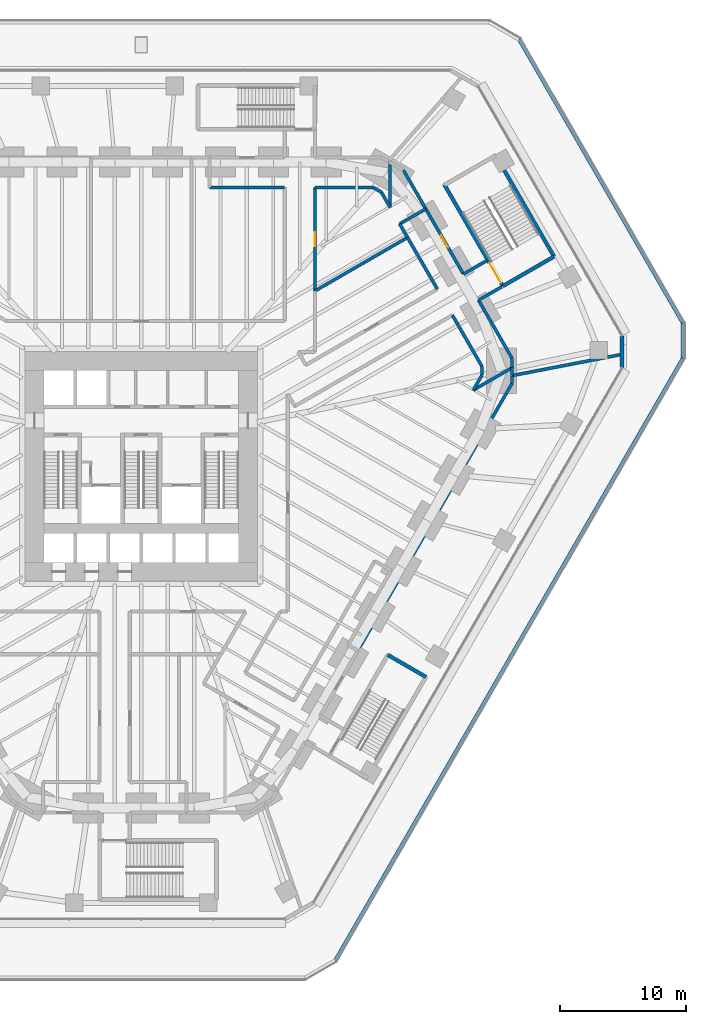
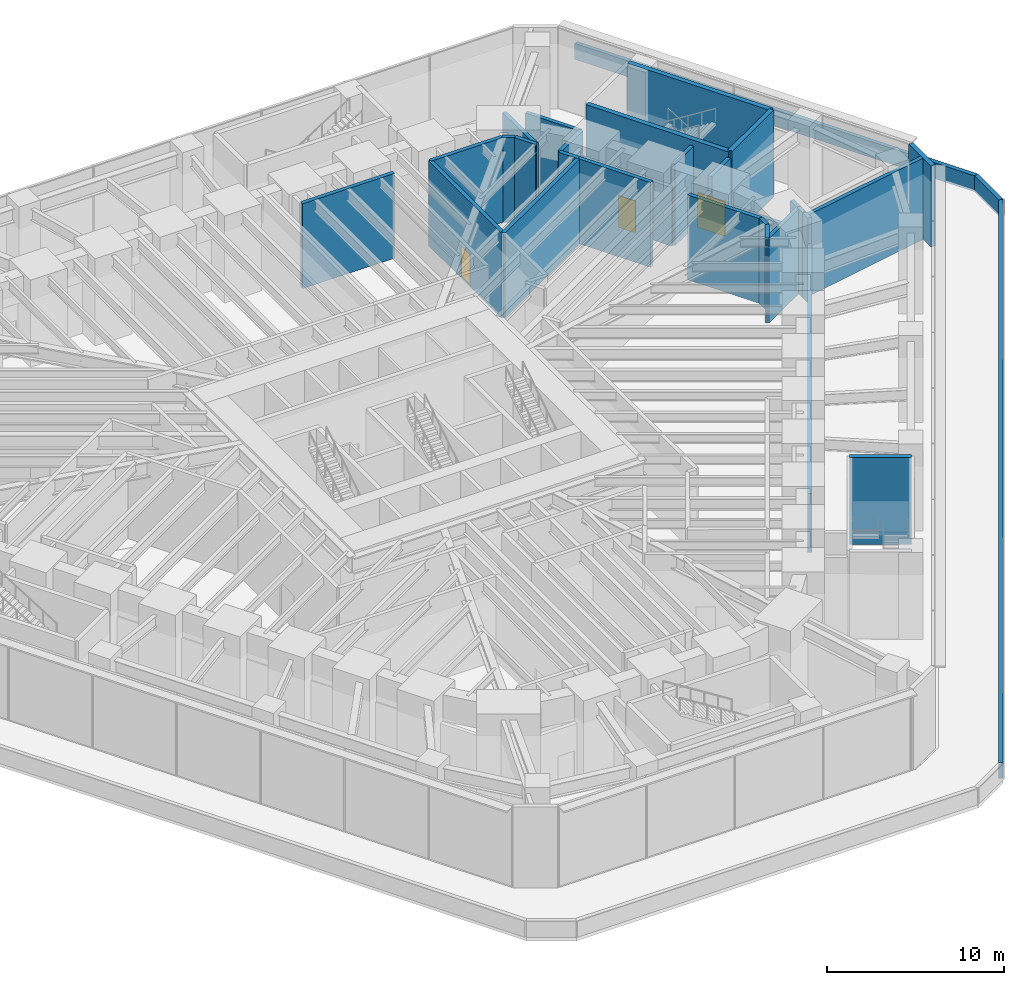
# One storey, part 17 of 24: 32 walls, 3 doors, 3 openings.
"""IFC4 building model written with IfcOpenShell, lengths in metres."""

from ifc_helpers import new_model, si_unit, direction, frame, frame_2d, origin, place, context, subcontext, project, spatial, rectangle, extrude, material, layer, layer_set, type_object, element, fill, save


model = new_model("IFC4")

# Units and contexts
model_context = context("Model", 3, precision=1e-05, world=origin(), true_north=direction((0.0, 1.0)))
body_context = subcontext(model_context, "Body", "Model", "MODEL_VIEW")
ifc_project = project(units=[si_unit("LENGTHUNIT", "METRE"), si_unit("AREAUNIT", "SQUARE_METRE"), si_unit("VOLUMEUNIT", "CUBIC_METRE"), si_unit("PLANEANGLEUNIT", "RADIAN"), si_unit("MASSUNIT", "GRAM", prefix="KILO")], contexts=[model_context])

# Site, building, storey
site_placement = place(None, origin())
site = spatial("IfcSite", under=ifc_project, at=site_placement, CompositionType="ELEMENT")
building_placement = place(site_placement, origin())
building = spatial("IfcBuilding", under=site, at=building_placement, Name="Sandreach Pilgrim Tower", CompositionType="ELEMENT")
storey_placement = place(building_placement, frame((0.0, 0.0, 12.0)))
storey = spatial("IfcBuildingStorey", under=building, at=storey_placement, Name="L02", CompositionType="ELEMENT", Elevation=12.0)

# Wall
ifc_material_1 = material(Name="Acoustic gypsum board wall, double frame", Category="gypsum")
ifc_layer_1 = layer(ifc_material_1, 0.25)
ifc_layer_set_1 = layer_set([ifc_layer_1], Name="Hall partition 250")
wall_type_1 = type_object("IfcWallType", Name="Hall partition 250", PredefinedType="PARTITIONING", material=ifc_layer_set_1)
wall_1_placement = place(storey_placement, frame((5.429931640625, 20.64990234375, 0.0), z_axis=(0.0, 0.0, 1.0), x_axis=(1.0, 0.0, 0.0)))
element("IfcWall", 1, at=wall_1_placement, inside=storey, type_object=wall_type_1, Name="Hall partition L02-069", PredefinedType="PARTITIONING", context=body_context, shape_type="SweptSolid", body=[
    extrude(rectangle(XDim=6.0, YDim=0.25, at=frame_2d((3.0, 0.0))), origin(), (0.0, 0.0, 1.0), 5.840087890625),
])

# Wall, opening, door
wall_2_placement = place(storey_placement, frame((13.830078125, 12.419921875, 0.0), z_axis=(0.0, 0.0, 1.0), x_axis=(0.0, 1.0, 0.0)))
wall_2 = element("IfcWall", 2, at=wall_2_placement, inside=storey, type_object=wall_type_1, Name="Hall partition L02-096", PredefinedType="PARTITIONING", context=body_context, shape_type="SweptSolid", body=[
    extrude(rectangle(XDim=8.22998046875, YDim=0.25, at=frame_2d((4.114990234375, 0.0))), origin(), (0.0, 0.0, 1.0), 5.840087890625),
])
opening_1_placement = place(wall_2_placement, frame((3.56494140625, 0.0, 0.0)))
opening_1 = element("IfcOpeningElement", 3, at=opening_1_placement, cuts=wall_2, Name="Opening D11H-B1", PredefinedType="OPENING", context=body_context, shape_type="SweptSolid", body=[
    extrude(rectangle(XDim=1.10009765625, YDim=2.199951171875, at=frame_2d((0.550048828125, 1.10009765625))), frame((0.0, 0.125, 0.0), z_axis=(0.0, -1.0, 0.0), x_axis=(1.0, 0.0, 0.0)), (0.0, 0.0, 1.0), 0.25),
])
ifc_material_2 = material(Name="Steel door and frame", Category="steel")
door_type_1 = type_object("IfcDoorType", Name="Back of house door", OperationType="SINGLE_SWING_LEFT", PredefinedType="DOOR", material=ifc_material_2)
door_1_placement = place(opening_1_placement, origin())
door_1 = element("IfcDoor", 4, at=door_1_placement, inside=storey, type_object=door_type_1, Name="Door 02B1", OperationType="SINGLE_SWING_LEFT", OverallHeight=2.199951171875, OverallWidth=1.10009765625, PredefinedType="DOOR", context=body_context, shape_type="SweptSolid", body=[
    extrude(rectangle(XDim=1.10009765625, YDim=2.199951171875, at=frame_2d((0.550048828125, 1.10009765625))), frame((0.0, 0.02490234375, 0.0), z_axis=(0.0, -1.0, 0.0), x_axis=(1.0, 0.0, 0.0)), (0.0, 0.0, 1.0), 0.050048828125),
])
fill(opening_1, door_1)

# Walls
wall_3_placement = place(storey_placement, frame((13.830078125, 20.64990234375, 0.0), z_axis=(0.0, 0.0, 1.0), x_axis=(1.0, 0.0, 0.0)))
element("IfcWall", 5, at=wall_3_placement, inside=storey, type_object=wall_type_1, Name="Hall partition L02-097", PredefinedType="PARTITIONING", context=body_context, shape_type="SweptSolid", body=[
    extrude(rectangle(XDim=4.679931640625, YDim=0.25, at=frame_2d((2.33984375, 0.0))), origin(), (0.0, 0.0, 1.0), 5.840087890625),
])
wall_4_placement = place(storey_placement, frame((17.25, -16.22998046875, 0.0), z_axis=(0.0, 0.0, 1.0), x_axis=(0.499945975705, 0.866056592479, 0.0)))
element("IfcWall", 6, at=wall_4_placement, inside=storey, type_object=wall_type_1, Name="Hall partition L02-103", PredefinedType="PARTITIONING", context=body_context, shape_type="SweptSolid", body=[
    extrude(rectangle(XDim=24.582763671875, YDim=0.25, at=frame_2d((12.29150390625, 0.0))), origin(), (0.0, 0.0, 1.0), 4.0400390625),
])
wall_5_placement = place(storey_placement, frame((18.510009765625, 20.64990234375, 0.0), z_axis=(0.0, 0.0, 1.0), x_axis=(0.864827114446, -0.502069778138, 0.0)))
element("IfcWall", 7, at=wall_5_placement, inside=storey, type_object=wall_type_1, Name="Hall partition L02-104", PredefinedType="PARTITIONING", context=body_context, shape_type="SweptSolid", body=[
    extrude(rectangle(XDim=0.716796875, YDim=0.25, at=frame_2d((0.3583984375, 0.0))), origin(), (0.0, 0.0, 1.0), 5.840087890625),
])
wall_6_placement = place(storey_placement, frame((19.1298828125, 20.2900390625, 0.0), z_axis=(0.0, 0.0, 1.0), x_axis=(0.500871040665, -0.865521923826, 0.0)))
element("IfcWall", 8, at=wall_6_placement, inside=storey, type_object=wall_type_1, Name="Hall partition L02-106", PredefinedType="PARTITIONING", context=body_context, shape_type="SweptSolid", body=[
    extrude(rectangle(XDim=1.39794921875, YDim=0.25, at=frame_2d((0.698974609375, 0.0))), origin(), (0.0, 0.0, 1.0), 5.840087890625),
])
wall_7_placement = place(storey_placement, frame((19.830078125, 19.080078125, 0.0), z_axis=(0.0, 0.0, 1.0), x_axis=(-0.005576247883, 0.999984452609, 0.0)))
element("IfcWall", 9, at=wall_7_placement, inside=storey, type_object=wall_type_1, Name="Hall partition L02-110", PredefinedType="PARTITIONING", context=body_context, shape_type="SweptSolid", body=[
    extrude(rectangle(XDim=3.590087890625, YDim=0.25, at=frame_2d((1.794921875, 0.0))), origin(), (0.0, 0.0, 1.0), 5.840087890625),
])
wall_8_placement = place(storey_placement, frame((20.590087890625, 17.760009765625, 0.0), z_axis=(0.0, 0.0, 1.0), x_axis=(0.497763752085, -0.867312658221, 0.0)))
element("IfcWall", 10, at=wall_8_placement, inside=storey, type_object=wall_type_1, Name="Hall partition L02-112", PredefinedType="PARTITIONING", context=body_context, shape_type="SweptSolid", body=[
    extrude(rectangle(XDim=1.245361328125, YDim=0.25, at=frame_2d((0.62255859375, 0.0))), origin(), (0.0, 0.0, 1.0), 5.840087890625),
])
wall_9_placement = place(storey_placement, frame((21.2099609375, 16.679931640625, 0.0), z_axis=(0.0, 0.0, 1.0), x_axis=(-0.866064405698, -0.499932440619, 0.0)))
element("IfcWall", 11, at=wall_9_placement, inside=storey, type_object=wall_type_1, Name="Hall partition L02-114", PredefinedType="PARTITIONING", context=body_context, shape_type="SweptSolid", body=[
    extrude(rectangle(XDim=8.521240234375, YDim=0.25, at=frame_2d((4.2607421875, 0.0))), origin(), (0.0, 0.0, 1.0), 5.840087890625),
])
wall_10_placement = place(storey_placement, frame((22.669921875, 18.9599609375, 0.0), z_axis=(0.0, 0.0, 1.0), x_axis=(-0.866177122335, -0.499737123639, 0.0)))
element("IfcWall", 12, at=wall_10_placement, inside=storey, type_object=wall_type_1, Name="Hall partition L02-115", PredefinedType="PARTITIONING", context=body_context, shape_type="SweptSolid", body=[
    extrude(rectangle(XDim=2.401123046875, YDim=0.25, at=frame_2d((1.20068359375, 0.0))), origin(), (0.0, 0.0, 1.0), 5.840087890625),
])
wall_11_placement = place(storey_placement, frame((22.669921875, 18.9599609375, 0.0), z_axis=(0.0, 0.0, 1.0), x_axis=(-0.501254541389, 0.865299881392, 0.0)))
element("IfcWall", 13, at=wall_11_placement, inside=storey, type_object=wall_type_1, Name="Hall partition L02-116", PredefinedType="PARTITIONING", context=body_context, shape_type="SweptSolid", body=[
    extrude(rectangle(XDim=3.571044921875, YDim=0.25, at=frame_2d((1.78564453125, 0.0))), origin(), (0.0, 0.0, 1.0), 5.840087890625),
])
wall_12_placement = place(storey_placement, frame((23.590087890625, 12.570068359375, 0.0), z_axis=(0.0, 0.0, 1.0), x_axis=(-0.500472849402, 0.865752231884, 0.0)))
element("IfcWall", 14, at=wall_12_placement, inside=storey, type_object=wall_type_1, Name="Hall partition L02-118", PredefinedType="PARTITIONING", context=body_context, shape_type="SweptSolid", body=[
    extrude(rectangle(XDim=4.74951171875, YDim=0.25, at=frame_2d((2.374755859375, 0.0))), origin(), (0.0, 0.0, 1.0), 5.840087890625),
])
wall_13_placement = place(storey_placement, frame((24.7900390625, 10.489990234375, 0.0), z_axis=(0.0, 0.0, 1.0), x_axis=(0.499999753078, -0.866025546345, 0.0)))
element("IfcWall", 15, at=wall_13_placement, inside=storey, type_object=wall_type_1, Name="Hall partition L02-119", PredefinedType="PARTITIONING", context=body_context, shape_type="SweptSolid", body=[
    extrude(rectangle(XDim=4.69970703125, YDim=0.25, at=frame_2d((2.349853515625, 0.0))), origin(), (0.0, 0.0, 1.0), 5.840087890625),
])

# Wall, opening, door
wall_14_placement = place(storey_placement, frame((25.669921875, 13.77001953125, 0.0), z_axis=(0.0, 0.0, 1.0), x_axis=(-0.50044857655, 0.865766263046, 0.0)))
wall_14 = element("IfcWall", 16, at=wall_14_placement, inside=storey, type_object=wall_type_1, Name="Hall partition L02-121", PredefinedType="PARTITIONING", context=body_context, shape_type="SweptSolid", body=[
    extrude(rectangle(XDim=5.99462890625, YDim=0.25, at=frame_2d((2.997314453125, 0.0))), origin(), (0.0, 0.0, 1.0), 4.0400390625),
])
opening_2_placement = place(wall_14_placement, frame((2.447509765625, 0.0, 0.0)))
opening_2 = element("IfcOpeningElement", 17, at=opening_2_placement, cuts=wall_14, Name="Opening D11H-02", PredefinedType="OPENING", context=body_context, shape_type="SweptSolid", body=[
    extrude(rectangle(XDim=1.10009765625, YDim=2.199951171875, at=frame_2d((0.550048828125, 1.10009765625))), frame((0.0, 0.125, 0.0), z_axis=(0.0, -1.0, 0.0), x_axis=(1.0, 0.0, 0.0)), (0.0, 0.0, 1.0), 0.25),
])
door_2_placement = place(opening_2_placement, origin())
door_2 = element("IfcDoor", 18, at=door_2_placement, inside=storey, type_object=door_type_1, Name="Door 0202", OperationType="SINGLE_SWING_LEFT", OverallHeight=2.199951171875, OverallWidth=1.10009765625, PredefinedType="DOOR", context=body_context, shape_type="SweptSolid", body=[
    extrude(rectangle(XDim=1.10009765625, YDim=2.199951171875, at=frame_2d((0.550048828125, 1.10009765625))), frame((0.0, 0.02490234375, 0.0), z_axis=(0.0, -1.0, 0.0), x_axis=(1.0, 0.0, 0.0)), (0.0, 0.0, 1.0), 0.050048828125),
])
fill(opening_2, door_2)

# Walls
wall_15_placement = place(storey_placement, frame((26.449951171875, 4.52001953125, 0.0), z_axis=(0.0, 0.0, 1.0), x_axis=(0.865299881392, 0.501254541389, 0.0)))
element("IfcWall", 19, at=wall_15_placement, inside=storey, type_object=wall_type_1, Name="Hall partition L02-122", PredefinedType="PARTITIONING", context=body_context, shape_type="SweptSolid", body=[
    extrude(rectangle(XDim=3.571044921875, YDim=0.25, at=frame_2d((1.78564453125, 0.0))), origin(), (0.0, 0.0, 1.0), 5.840087890625),
])
wall_16_placement = place(storey_placement, frame((26.8701171875, 11.68994140625, 0.0), z_axis=(0.0, 0.0, 1.0), x_axis=(0.866775979586, 0.498697705241, 0.0)))
element("IfcWall", 20, at=wall_16_placement, inside=storey, type_object=wall_type_1, Name="Hall partition L02-123", PredefinedType="PARTITIONING", context=body_context, shape_type="SweptSolid", body=[
    extrude(rectangle(XDim=2.145751953125, YDim=0.25, at=frame_2d((1.07275390625, 0.0))), origin(), (0.0, 0.0, 1.0), 5.60009765625),
])
wall_17_placement = place(storey_placement, frame((27.139892578125, 5.7099609375, 0.0), z_axis=(0.0, 0.0, 1.0), x_axis=(-0.501595895466, -0.865102050426, 0.0)))
element("IfcWall", 21, at=wall_17_placement, inside=storey, type_object=wall_type_1, Name="Hall partition L02-124", PredefinedType="PARTITIONING", context=body_context, shape_type="SweptSolid", body=[
    extrude(rectangle(XDim=1.37548828125, YDim=0.25, at=frame_2d((0.687744140625, 0.0))), origin(), (0.0, 0.0, 1.0), 5.840087890625),
])
wall_18_placement = place(storey_placement, frame((27.139892578125, 6.419921875, 0.0), z_axis=(0.0, 0.0, 1.0), x_axis=(0.0, -1.0, 0.0)))
element("IfcWall", 22, at=wall_18_placement, inside=storey, type_object=wall_type_1, Name="Hall partition L02-125", PredefinedType="PARTITIONING", context=body_context, shape_type="SweptSolid", body=[
    extrude(rectangle(XDim=0.7099609375, YDim=0.25, at=frame_2d((0.35498046875, 0.0))), origin(), (0.0, 0.0, 1.0), 5.840087890625),
])
wall_19_placement = place(storey_placement, frame((27.530029296875, 14.840087890625, 0.0), z_axis=(0.0, 0.0, 1.0), x_axis=(-0.866804272416, -0.498648526841, 0.0)))
element("IfcWall", 23, at=wall_19_placement, inside=storey, type_object=wall_type_1, Name="Hall partition L02-126", PredefinedType="PARTITIONING", context=body_context, shape_type="SweptSolid", body=[
    extrude(rectangle(XDim=2.14599609375, YDim=0.25, at=frame_2d((1.072998046875, 0.0))), origin(), (0.0, 0.0, 1.0), 5.60009765625),
])
wall_20_placement = place(storey_placement, frame((29.5400390625, 5.06005859375, 0.0), z_axis=(0.0, 0.0, 1.0), x_axis=(0.0, 1.0, 0.0)))
element("IfcWall", 24, at=wall_20_placement, inside=storey, type_object=wall_type_1, Name="Hall partition L02-127", PredefinedType="PARTITIONING", context=body_context, shape_type="SweptSolid", body=[
    extrude(rectangle(XDim=0.5849609375, YDim=0.25, at=frame_2d((0.29248046875, 0.0))), origin(), (0.0, 0.0, 1.0), 5.840087890625),
])
wall_21_placement = place(storey_placement, frame((29.5400390625, 5.679931640625, 0.0), z_axis=(0.0, 0.0, 1.0), x_axis=(0.0, 1.0, 0.0)))
element("IfcWall", 25, at=wall_21_placement, inside=storey, type_object=wall_type_1, Name="Hall partition L02-128", PredefinedType="PARTITIONING", context=body_context, shape_type="SweptSolid", body=[
    extrude(rectangle(XDim=0.630126953125, YDim=0.25, at=frame_2d((0.31494140625, 0.0))), origin(), (0.0, 0.0, 1.0), 5.840087890625),
])
wall_22_placement = place(storey_placement, frame((29.5400390625, 6.31005859375, 0.0), z_axis=(0.0, 0.0, 1.0), x_axis=(0.0, 1.0, 0.0)))
element("IfcWall", 26, at=wall_22_placement, inside=storey, type_object=wall_type_1, Name="Hall partition L02-129", PredefinedType="PARTITIONING", context=body_context, shape_type="SweptSolid", body=[
    extrude(rectangle(XDim=0.75, YDim=0.25, at=frame_2d((0.375, 0.0))), origin(), (0.0, 0.0, 1.0), 5.840087890625),
])
wall_23_placement = place(storey_placement, frame((29.5400390625, 7.06005859375, 0.0), z_axis=(0.0, 0.0, 1.0), x_axis=(-0.499558989476, 0.866279871655, 0.0)))
element("IfcWall", 27, at=wall_23_placement, inside=storey, type_object=wall_type_1, Name="Hall partition L02-130", PredefinedType="PARTITIONING", context=body_context, shape_type="SweptSolid", body=[
    extrude(rectangle(XDim=5.344482421875, YDim=0.25, at=frame_2d((2.67236328125, 0.0))), origin(), (0.0, 0.0, 1.0), 4.0400390625),
])
wall_24_placement = place(storey_placement, frame((38.320556640625, 7.374267578125, 0.0), z_axis=(0.0, 0.0, 1.0), x_axis=(-0.981886490476, -0.189470102708, 0.0)))
element("IfcWall", 28, at=wall_24_placement, inside=storey, type_object=wall_type_1, Name="Hall partition L02-131", PredefinedType="PARTITIONING", context=body_context, shape_type="SweptSolid", body=[
    extrude(rectangle(XDim=8.9423828125, YDim=0.25, at=frame_2d((4.47119140625, 0.0))), origin(), (0.0, 0.0, 1.0), 5.60009765625),
])

# Wall, opening, door
ifc_material_3 = material(Name="Concrete 8000 psi", Category="concrete")
ifc_layer_2 = layer(ifc_material_3, 0.300048828125)
ifc_layer_set_2 = layer_set([ifc_layer_2], Name="Podium stair enclosure 300")
wall_type_2 = type_object("IfcWallType", Name="Podium stair enclosure 300", PredefinedType="SHEAR", material=ifc_layer_set_2)
wall_25_placement = place(storey_placement, frame((28.81494140625, 12.81298828125, 0.0), z_axis=(0.0, 0.0, 1.0), x_axis=(-0.500015592816, 0.866016401081, 0.0)))
wall_25 = element("IfcWall", 29, at=wall_25_placement, inside=storey, type_object=wall_type_2, Name="Stair ST4 enclosure L02 1", PredefinedType="SHEAR", context=body_context, shape_type="SweptSolid", body=[
    extrude(rectangle(XDim=9.300048828125, YDim=0.300048828125, at=frame_2d((4.64990234375, 0.0))), origin(), (0.0, 0.0, 1.0), 6.0),
])
opening_3_placement = place(wall_25_placement, frame((0.300048828125, 0.0, 0.0)))
opening_3 = element("IfcOpeningElement", 30, at=opening_3_placement, cuts=wall_25, Name="Opening D18S-ST4", PredefinedType="OPENING", context=body_context, shape_type="SweptSolid", body=[
    extrude(rectangle(XDim=1.800048828125, YDim=2.39990234375, at=frame_2d((0.89990234375, 1.199951171875))), frame((0.0, 0.14990234375, 0.0), z_axis=(0.0, -1.0, 0.0), x_axis=(1.0, 0.0, 0.0)), (0.0, 0.0, 1.0), 0.300048828125),
])
ifc_material_4 = material(Name="Steel door and frame", Category="steel")
door_type_2 = type_object("IfcDoorType", Name="Podium stair door", OperationType="DOUBLE_DOOR_SINGLE_SWING", PredefinedType="DOOR", material=ifc_material_4)
door_3_placement = place(opening_3_placement, origin())
door_3 = element("IfcDoor", 31, at=door_3_placement, inside=storey, type_object=door_type_2, Name="Stair door ST4 L02", OperationType="DOUBLE_DOOR_SINGLE_SWING", OverallHeight=2.39990234375, OverallWidth=1.800048828125, PredefinedType="DOOR", context=body_context, shape_type="SweptSolid", body=[
    extrude(rectangle(XDim=1.800048828125, YDim=2.39990234375, at=frame_2d((0.89990234375, 1.199951171875))), frame((0.0, 0.02490234375, 0.0), z_axis=(0.0, -1.0, 0.0), x_axis=(1.0, 0.0, 0.0)), (0.0, 0.0, 1.0), 0.050048828125),
])
fill(opening_3, door_3)

# Walls
wall_26_placement = place(storey_placement, frame((28.235107421875, 23.217041015625, 0.0), z_axis=(0.0, 0.0, 1.0), x_axis=(0.500004225487, -0.866022964185, 0.0)))
element("IfcWall", 32, at=wall_26_placement, inside=storey, type_object=wall_type_2, Name="Stair ST4 enclosure L02 3", PredefinedType="SHEAR", context=body_context, shape_type="SweptSolid", body=[
    extrude(rectangle(XDim=9.30029296875, YDim=0.300048828125, at=frame_2d((4.650146484375, 0.0))), origin(), (0.0, 0.0, 1.0), 6.0),
])
wall_27_placement = place(storey_placement, frame((32.88525390625, 15.162841796875, 0.0), z_axis=(0.0, 0.0, 1.0), x_axis=(-0.866038532462, -0.499977259774, 0.0)))
element("IfcWall", 33, at=wall_27_placement, inside=storey, type_object=wall_type_2, Name="Stair ST4 enclosure L02 4", PredefinedType="SHEAR", context=body_context, shape_type="SweptSolid", body=[
    extrude(rectangle(XDim=4.699951171875, YDim=0.300048828125, at=frame_2d((2.35009765625, 0.0))), origin(), (0.0, 0.0, 1.0), 6.0),
])
wall_28_placement = place(storey_placement, frame((19.64453125, -16.572265625, 0.0), z_axis=(0.0, 0.0, 1.0), x_axis=(0.866019471182, -0.500010275428, 0.0)))
element("IfcWall", 34, at=wall_28_placement, inside=storey, type_object=wall_type_2, Name="Stair ST8 enclosure L02 2", PredefinedType="SHEAR", context=body_context, shape_type="SweptSolid", body=[
    extrude(rectangle(XDim=3.5, YDim=0.300048828125, at=frame_2d((1.75, 0.0))), origin(), (0.0, 0.0, 1.0), 6.0),
])
ifc_material_5 = material(Name="Concrete parapet with terracotta coping", Category="masonry")
ifc_layer_3 = layer(ifc_material_5, 0.25)
ifc_layer_set_3 = layer_set([ifc_layer_3], Name="Setback parapet")
wall_type_3 = type_object("IfcWallType", Name="Setback parapet", PredefinedType="PARAPET", material=ifc_layer_set_3)
wall_29_placement = place(storey_placement, frame((15.455322265625, -40.89501953125, 0.0), z_axis=(0.0, 0.0, 1.0), x_axis=(0.500000660882, 0.866025022224, 0.0)))
element("IfcWall", 35, at=wall_29_placement, inside=storey, type_object=wall_type_3, Name="Setback parapet L02 8", PredefinedType="PARAPET", context=body_context, shape_type="SweptSolid", body=[
    extrude(rectangle(XDim=55.376953125, YDim=0.25, at=frame_2d((27.6884765625, 0.0))), origin(), (0.0, 0.0, 1.0), 1.10009765625),
])
wall_30_placement = place(storey_placement, frame((43.143798828125, 7.062744140625, 0.0), z_axis=(0.0, 0.0, 1.0), x_axis=(0.00061231619, 0.999999812534, 0.0)))
element("IfcWall", 36, at=wall_30_placement, inside=storey, type_object=wall_type_3, Name="Setback parapet L02 9", PredefinedType="PARAPET", context=body_context, shape_type="SweptSolid", body=[
    extrude(rectangle(XDim=2.791015625, YDim=0.25, at=frame_2d((1.3955078125, 0.0))), origin(), (0.0, 0.0, 1.0), 1.10009765625),
])
wall_31_placement = place(storey_placement, frame((43.1455078125, 9.853759765625, 0.0), z_axis=(0.0, 0.0, 1.0), x_axis=(-0.500004465561, 0.866022825576, 0.0)))
element("IfcWall", 37, at=wall_31_placement, inside=storey, type_object=wall_type_3, Name="Setback parapet L02 10", PredefinedType="PARAPET", context=body_context, shape_type="SweptSolid", body=[
    extrude(rectangle(XDim=26.078369140625, YDim=0.25, at=frame_2d((13.0390625, 0.0))), origin(), (0.0, 0.0, 1.0), 1.10009765625),
])
ifc_material_6 = material(Name="Terracotta rainscreen on concrete", Category="masonry")
ifc_layer_4 = layer(ifc_material_6, 0.300048828125)
ifc_layer_set_4 = layer_set([ifc_layer_4], Name="Terracotta chamfer pier")
wall_type_4 = type_object("IfcWallType", Name="Terracotta chamfer pier", PredefinedType="SOLIDWALL", material=ifc_layer_set_4)
wall_32_placement = place(storey_placement, frame((38.306884765625, 8.82763671875, 0.0), z_axis=(0.0, 0.0, 1.0), x_axis=(0.0, -1.0, 0.0)))
element("IfcWall", 38, at=wall_32_placement, inside=storey, type_object=wall_type_4, Name="Chamfer pier L02 NE", PredefinedType="SOLIDWALL", context=body_context, shape_type="SweptSolid", body=[
    extrude(rectangle(XDim=2.5, YDim=0.300048828125, at=frame_2d((1.25, 0.0))), origin(), (0.0, 0.0, 1.0), 5.60009765625),
])

save(model, "model.ifc")
